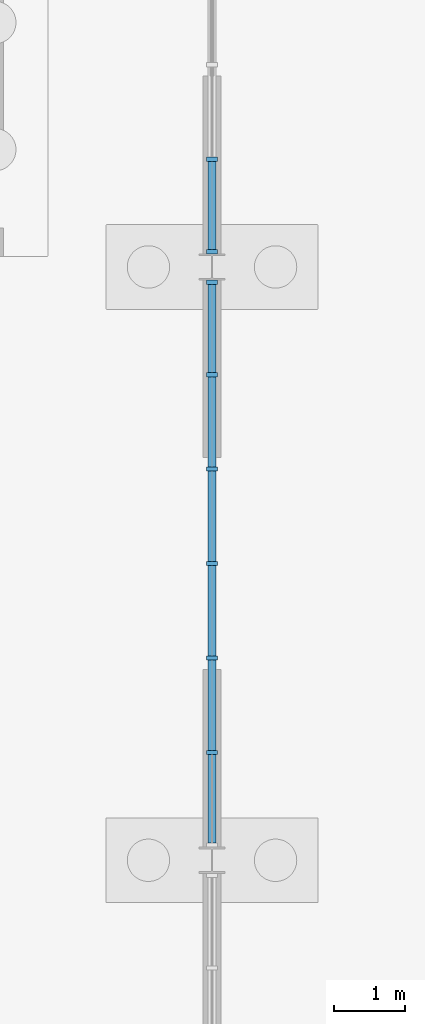
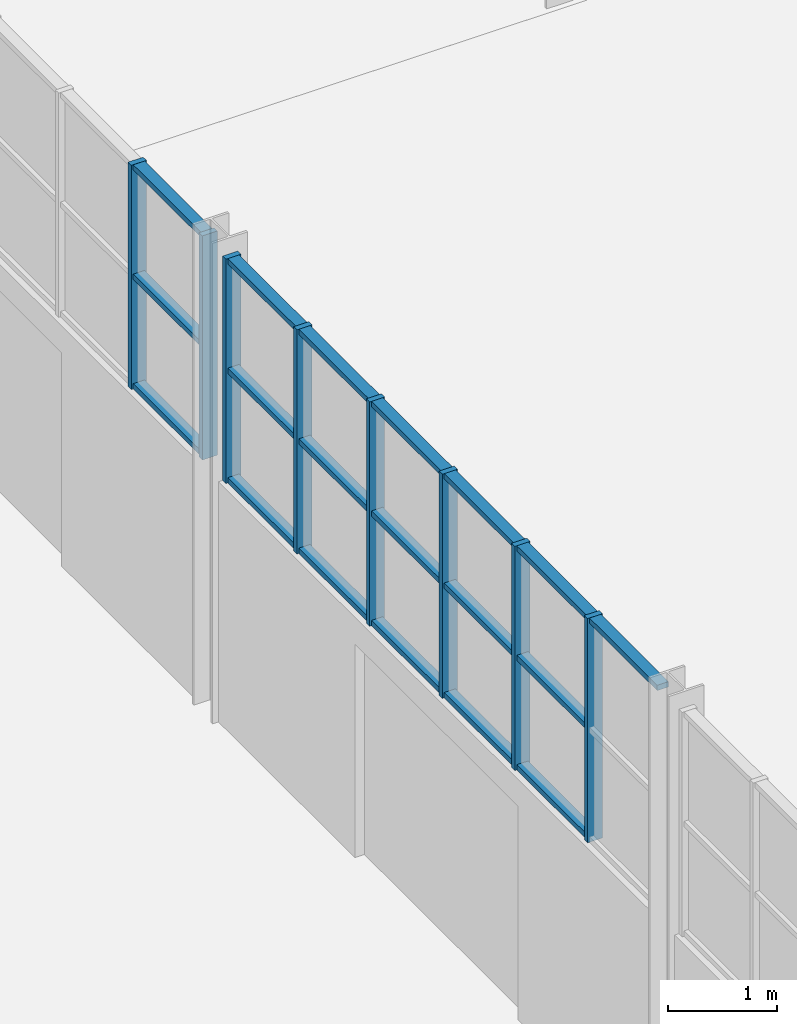
# One storey, part 36 of 127: 27 members, 2 elements without a shape of their own.
"""IFC4 building model written with IfcOpenShell, lengths in metres."""

import ifcopenshell
import ifcopenshell.guid

model = None  # the IFC model being written
_history = None  # IfcOwnerHistory: only IFC2X3 demands one
_inside = {}  # id of a spatial element -> (the spatial element, [elements in it])
_under = {}  # id of a project, library or spatial element -> (it, [spatial elements below it])
_declared = {}  # id of a project -> (the project, [libraries it declares])
_typed = {}  # id of a type object -> (the type object, [elements of that type])
_made_of = {}  # id of a material, layer set ... -> (it, [elements and type objects made of it])


def new_model(schema):
    """Start an empty IFC model of exactly this schema.

    Asked for "IFC4X3", IfcOpenShell would pick the latest addendum, in which some entities
    have other attributes; the version numbers below select the first issue.
    IFC2X3 requires an IfcOwnerHistory on every rooted entity: one is made here for all.
    """
    global model, _history
    if schema == "IFC4X3":
        model = ifcopenshell.file(schema_version=(4, 3, 0, 0))
    else:
        model = ifcopenshell.file(schema=schema)
    _inside.clear()
    _under.clear()
    _declared.clear()
    _typed.clear()
    _made_of.clear()
    _history = None
    if model.schema == "IFC2X3":
        org = make("IfcOrganization", Name="unknown")
        user = make(
            "IfcPersonAndOrganization",
            ThePerson=make("IfcPerson", FamilyName="unknown"),
            TheOrganization=org,
        )
        app = make(
            "IfcApplication",
            ApplicationDeveloper=org,
            Version="unknown",
            ApplicationFullName="unknown",
            ApplicationIdentifier="unknown",
        )
        _history = make(
            "IfcOwnerHistory",
            OwningUser=user,
            OwningApplication=app,
            ChangeAction="ADDED",
            CreationDate=0,
        )
    return model


def make(cls, **values):
    """One entity of the class cls with the attributes given. An attribute that is None is left unset."""
    return model.create_entity(
        cls, **{name: value for name, value in values.items() if value is not None}
    )


def rooted(cls, **values):
    """An entity with a GlobalId (a new one), such as an element, a storey or a relation."""
    return make(cls, GlobalId=ifcopenshell.guid.new(), OwnerHistory=_history, **values)


def si_unit(unit_type, name, prefix=None):
    """IfcSIUnit, for example si_unit("LENGTHUNIT", "METRE", prefix="MILLI")."""
    return make("IfcSIUnit", UnitType=unit_type, Prefix=prefix, Name=name)


def assignment(units):
    """IfcUnitAssignment: the units of a project."""
    return None if units is None else make("IfcUnitAssignment", Units=units)


def point(xyz):
    """IfcCartesianPoint."""
    return None if xyz is None else make("IfcCartesianPoint", Coordinates=xyz)


def direction(xyz):
    """IfcDirection."""
    return None if xyz is None else make("IfcDirection", DirectionRatios=xyz)


def frame(location, z_axis=None, x_axis=None):
    """IfcAxis2Placement3D, a coordinate frame: its origin and axes. An axis left out is left unset."""
    return make(
        "IfcAxis2Placement3D",
        Location=point(location),
        Axis=direction(z_axis),
        RefDirection=direction(x_axis),
    )


def frame_2d(location, x_axis=None):
    """IfcAxis2Placement2D, a coordinate frame in the plane: its origin and x axis."""
    return make(
        "IfcAxis2Placement2D", Location=point(location), RefDirection=direction(x_axis)
    )


def origin():
    """The frame at (0, 0, 0) with its axes left unset."""
    return frame((0.0, 0.0, 0.0))


def origin_2d():
    """The frame at (0, 0) in the plane with its x axis left unset."""
    return frame_2d((0.0, 0.0))


def place(relative_to, where):
    """IfcLocalPlacement: puts the frame where relative to a parent placement (None: the world)."""
    return make(
        "IfcLocalPlacement", PlacementRelTo=relative_to, RelativePlacement=where
    )


def context(
    kind, dimensions, precision=None, world=None, true_north=None, identifier=None
):
    """IfcGeometricRepresentationContext, for example the 3D "Model" context."""
    return make(
        "IfcGeometricRepresentationContext",
        ContextIdentifier=identifier,
        ContextType=kind,
        CoordinateSpaceDimension=dimensions,
        Precision=precision,
        WorldCoordinateSystem=world,
        TrueNorth=true_north,
    )


def subcontext(parent, identifier, kind, view, scale=None):
    """IfcGeometricRepresentationSubContext, for example "Body" below "Model"."""
    return make(
        "IfcGeometricRepresentationSubContext",
        ContextIdentifier=identifier,
        ContextType=kind,
        ParentContext=parent,
        TargetScale=scale,
        TargetView=view,
    )


def project(units=None, contexts=None):
    """IfcProject with its units and contexts."""
    return rooted(
        "IfcProject",
        Name="project",
        RepresentationContexts=contexts,
        UnitsInContext=assignment(units),
    )


def spatial(cls, under=None, at=None, **own):
    """A site, building, storey or space (cls), placed at a placement, below another one or the project."""
    s = rooted(cls, ObjectPlacement=at, **own)
    if under is not None:
        _under.setdefault(under.id(), (under, []))[1].append(s)
    return s


def profile(cls, at=None, kind="AREA", **sizes):
    """A parametric profile (cls). Its sizes go by their IFC names, for example OverallWidth=200.0."""
    return make(cls, ProfileType=kind, Position=at, **sizes)


def rectangle(**sizes):
    """IfcRectangleProfileDef."""
    return profile("IfcRectangleProfileDef", **sizes)


def extrude(swept, where, along, depth):
    """IfcExtrudedAreaSolid: the profile swept, set in the frame where, extruded along a direction by depth."""
    return make(
        "IfcExtrudedAreaSolid",
        SweptArea=swept,
        Position=where,
        ExtrudedDirection=direction(along),
        Depth=depth,
    )


def shape(context_of_items, identifier, shape_type, items):
    """IfcShapeRepresentation: the items that make up one representation, for example the "Body"."""
    return make(
        "IfcShapeRepresentation",
        ContextOfItems=context_of_items,
        RepresentationIdentifier=identifier,
        RepresentationType=shape_type,
        Items=items,
    )


def material(Name=None, Category=None):
    """IfcMaterial."""
    return make("IfcMaterial", Name=Name, Category=Category)


def material_profile(
    of_material, cross_section, Name=None, Category=None, Priority=None
):
    """IfcMaterialProfile: a cross section and its material."""
    return make(
        "IfcMaterialProfile",
        Name=Name,
        Material=of_material,
        Profile=cross_section,
        Priority=Priority,
        Category=Category,
    )


def profile_set(profiles, Name=None, composite=None):
    """IfcMaterialProfileSet."""
    return make(
        "IfcMaterialProfileSet",
        Name=Name,
        MaterialProfiles=profiles,
        CompositeProfile=composite,
    )


def made_of(thing, what):
    """Note that an element or type object is made of a material, layer set ...; save() writes the relation."""
    if what is not None:
        _made_of.setdefault(what.id(), (what, []))[1].append(thing)
    return thing


def type_object(cls, material=None, **own):
    """A type object (cls), such as IfcWallType, which elements share."""
    return made_of(rooted(cls, **own), material)


def element(
    cls,
    number,
    at=None,
    inside=None,
    cuts=None,
    type_object=None,
    material=None,
    context=None,
    identifier="Body",
    shape_type=None,
    held_by="IfcProductDefinitionShape",
    body=None,
    shapes=None,
    **own,
):
    """One element of the class cls, such as IfcWall. Its Tag is "e" and its number.

    at: its placement. inside: the storey or other place that contains it. cuts: it is an
    opening in that element (IfcRelVoidsElement). A single representation is given by context,
    identifier, shape_type and body (its items); several are given by shapes. held_by: the class
    of the entity that holds the representations. save() writes the other relations.
    """
    e = rooted(cls, Tag="e%d" % number, ObjectPlacement=at, **own)
    if body is not None:
        shapes = [shape(context, identifier, shape_type, body)]
    if shapes is not None:
        e.Representation = make(held_by, Representations=shapes)
    if inside is not None:
        _inside.setdefault(inside.id(), (inside, []))[1].append(e)
    if cuts is not None:
        rooted(
            "IfcRelVoidsElement", RelatingBuildingElement=cuts, RelatedOpeningElement=e
        )
    if type_object is not None:
        _typed.setdefault(type_object.id(), (type_object, []))[1].append(e)
    return made_of(e, material)


def aggregate(whole, parts):
    """IfcRelAggregates: a whole, such as a stair, and the parts it consists of."""
    return rooted("IfcRelAggregates", RelatingObject=whole, RelatedObjects=parts)


def save(model, path):
    """Write the relations noted so far, then the file.

    IfcRelAggregates (storeys below a building ...), IfcRelContainedInSpatialStructure (elements
    in a storey), IfcRelDefinesByType, IfcRelAssociatesMaterial and IfcRelDeclares: one each for
    every whole, place, type object, material and project.
    """
    for whole, parts in _under.values():
        aggregate(whole, parts)
    for where, things in _inside.values():
        rooted(
            "IfcRelContainedInSpatialStructure",
            RelatedElements=things,
            RelatingStructure=where,
        )
    for kind, things in _typed.values():
        rooted("IfcRelDefinesByType", RelatedObjects=things, RelatingType=kind)
    for what, things in _made_of.values():
        rooted("IfcRelAssociatesMaterial", RelatedObjects=things, RelatingMaterial=what)
    for by, libraries in _declared.values():
        rooted("IfcRelDeclares", RelatingContext=by, RelatedDefinitions=libraries)
    model.write(path)


model = new_model("IFC4")

# Units and contexts
model_context = context("Model", 3, precision=1e-05, world=origin(), true_north=direction((0.0, 1.0)))
body_context = subcontext(model_context, "Body", "Model", "MODEL_VIEW")
ifc_project = project(units=[si_unit("LENGTHUNIT", "METRE"), si_unit("AREAUNIT", "SQUARE_METRE"), si_unit("VOLUMEUNIT", "CUBIC_METRE"), si_unit("PLANEANGLEUNIT", "RADIAN"), si_unit("MASSUNIT", "GRAM", prefix="KILO")], contexts=[model_context])

# Site, building, storey
site_placement = place(None, origin())
site = spatial("IfcSite", under=ifc_project, at=site_placement, CompositionType="ELEMENT")
building_placement = place(site_placement, origin())
building = spatial("IfcBuilding", under=site, at=building_placement, Name="Ljudholm Concert House", CompositionType="ELEMENT")
storey_placement = place(building_placement, origin())
storey = spatial("IfcBuildingStorey", under=building, at=storey_placement, Name="L00", CompositionType="ELEMENT", Elevation=0.0)

# Curtain wall, members
ifc_material_1 = material(Name="Aluminium curtain wall with impact-rated laminated glass", Category="aluminium")
curtain_wall_type = type_object("IfcCurtainWallType", Name="CURTAIN WALL 1400", PredefinedType="NOTDEFINED", material=ifc_material_1)
curtain_wall_1_placement = place(storey_placement, origin())
curtain_wall_1 = element("IfcCurtainWall", 1, at=curtain_wall_1_placement, inside=storey, type_object=curtain_wall_type, Name="Foyer curtain wall", PredefinedType="NOTDEFINED")
ifc_material_2 = material(Name="Aluminium extrusion", Category="aluminium")
ifc_material_profile_1 = material_profile(ifc_material_2, rectangle(XDim=0.159912109375, YDim=0.06005859375, at=origin_2d()), Name="MULLION 60x160")
ifc_profile_set_1 = profile_set([ifc_material_profile_1], Name="Aluminium extrusion")
member_type_1 = type_object("IfcMemberType", Name="MULLION 60x160", PredefinedType="MULLION", material=ifc_profile_set_1)
member_1_placement = place(storey_placement, frame((12.39990234375, 89.5244140625, 2.699951171875), z_axis=(0.0, 0.0, 1.0), x_axis=(-1.0, 0.0, 0.0)))
member_1 = element("IfcMember", 2, at=member_1_placement, type_object=member_type_1, Name="Mullion", PredefinedType="MULLION", context=body_context, shape_type="SweptSolid", body=[
    extrude(rectangle(XDim=0.159912109375, YDim=0.06005859375, at=origin_2d()), origin(), (0.0, 0.0, 1.0), 2.52001953125),
])
member_2_placement = place(storey_placement, frame((12.39990234375, 90.8623046875, 2.699951171875), z_axis=(0.0, 0.0, 1.0), x_axis=(-1.0, 0.0, 0.0)))
member_2 = element("IfcMember", 3, at=member_2_placement, type_object=member_type_1, Name="Mullion", PredefinedType="MULLION", context=body_context, shape_type="SweptSolid", body=[
    extrude(rectangle(XDim=0.159912109375, YDim=0.06005859375, at=origin_2d()), origin(), (0.0, 0.0, 1.0), 2.52001953125),
])
member_3_placement = place(storey_placement, frame((12.39990234375, 92.199951171875, 2.699951171875), z_axis=(0.0, 0.0, 1.0), x_axis=(-1.0, 0.0, 0.0)))
member_3 = element("IfcMember", 4, at=member_3_placement, type_object=member_type_1, Name="Mullion", PredefinedType="MULLION", context=body_context, shape_type="SweptSolid", body=[
    extrude(rectangle(XDim=0.159912109375, YDim=0.06005859375, at=origin_2d()), origin(), (0.0, 0.0, 1.0), 2.52001953125),
])
member_4_placement = place(storey_placement, frame((12.39990234375, 93.537841796875, 2.699951171875), z_axis=(0.0, 0.0, 1.0), x_axis=(-1.0, 0.0, 0.0)))
member_4 = element("IfcMember", 5, at=member_4_placement, type_object=member_type_1, Name="Mullion", PredefinedType="MULLION", context=body_context, shape_type="SweptSolid", body=[
    extrude(rectangle(XDim=0.159912109375, YDim=0.06005859375, at=origin_2d()), origin(), (0.0, 0.0, 1.0), 2.52001953125),
])
member_5_placement = place(storey_placement, frame((12.39990234375, 94.87548828125, 2.699951171875), z_axis=(0.0, 0.0, 1.0), x_axis=(-1.0, 0.0, 0.0)))
member_5 = element("IfcMember", 6, at=member_5_placement, type_object=member_type_1, Name="Mullion", PredefinedType="MULLION", context=body_context, shape_type="SweptSolid", body=[
    extrude(rectangle(XDim=0.159912109375, YDim=0.06005859375, at=origin_2d()), origin(), (0.0, 0.0, 1.0), 2.52001953125),
])
member_6_placement = place(storey_placement, frame((12.39990234375, 96.183349609375, 2.699951171875), z_axis=(0.0, 0.0, 1.0), x_axis=(-1.0, 0.0, 0.0)))
member_6 = element("IfcMember", 7, at=member_6_placement, type_object=member_type_1, Name="Mullion", PredefinedType="MULLION", context=body_context, shape_type="SweptSolid", body=[
    extrude(rectangle(XDim=0.159912109375, YDim=0.06005859375, at=origin_2d()), origin(), (0.0, 0.0, 1.0), 2.52001953125),
])

curtain_wall_2_placement = place(storey_placement, origin())
curtain_wall_2 = element("IfcCurtainWall", 8, at=curtain_wall_2_placement, inside=storey, type_object=curtain_wall_type, Name="Foyer curtain wall", PredefinedType="NOTDEFINED")
member_7_placement = place(storey_placement, frame((12.39990234375, 96.61669921875, 2.699951171875), z_axis=(0.0, 0.0, 1.0), x_axis=(-1.0, 0.0, 0.0)))
member_7 = element("IfcMember", 9, at=member_7_placement, type_object=member_type_1, Name="Mullion", PredefinedType="MULLION", context=body_context, shape_type="SweptSolid", body=[
    extrude(rectangle(XDim=0.159912109375, YDim=0.06005859375, at=origin_2d()), origin(), (0.0, 0.0, 1.0), 2.52001953125),
])
member_8_placement = place(storey_placement, frame((12.39990234375, 97.924560546875, 2.699951171875), z_axis=(0.0, 0.0, 1.0), x_axis=(-1.0, 0.0, 0.0)))
member_8 = element("IfcMember", 10, at=member_8_placement, type_object=member_type_1, Name="Mullion", PredefinedType="MULLION", context=body_context, shape_type="SweptSolid", body=[
    extrude(rectangle(XDim=0.159912109375, YDim=0.06005859375, at=origin_2d()), origin(), (0.0, 0.0, 1.0), 2.52001953125),
])

# Member
ifc_material_3 = material(Name="Aluminium extrusion", Category="aluminium")
ifc_material_profile_2 = material_profile(ifc_material_3, rectangle(XDim=0.1201171875, YDim=0.06005859375, at=origin_2d()), Name="TRANSOM 60x120")
ifc_profile_set_2 = profile_set([ifc_material_profile_2], Name="Aluminium extrusion")
member_type_2 = type_object("IfcMemberType", Name="TRANSOM 60x120", PredefinedType="USERDEFINED", material=ifc_profile_set_2)
member_9_placement = place(storey_placement, frame((12.39990234375, 88.24658203125, 5.18994140625), z_axis=(0.0, 1.0, 0.0), x_axis=(-1.0, 0.0, 0.0)))
member_9 = element("IfcMember", 11, at=member_9_placement, type_object=member_type_2, Name="Transom", ObjectType="TRANSOM", PredefinedType="USERDEFINED", context=body_context, shape_type="SweptSolid", body=[
    extrude(rectangle(XDim=0.1201171875, YDim=0.06005859375, at=origin_2d()), origin(), (0.0, 0.0, 1.0), 1.247802734375),
])

member_10_placement = place(storey_placement, frame((12.39990234375, 89.554443359375, 2.72998046875), z_axis=(0.0, 1.0, 0.0), x_axis=(-1.0, 0.0, 0.0)))
member_10 = element("IfcMember", 12, at=member_10_placement, type_object=member_type_2, Name="Transom", ObjectType="TRANSOM", PredefinedType="USERDEFINED", context=body_context, shape_type="SweptSolid", body=[
    extrude(rectangle(XDim=0.1201171875, YDim=0.06005859375, at=origin_2d()), origin(), (0.0, 0.0, 1.0), 1.27783203125),
])

member_11_placement = place(storey_placement, frame((12.39990234375, 89.554443359375, 3.9599609375), z_axis=(0.0, 1.0, 0.0), x_axis=(-1.0, 0.0, 0.0)))
member_11 = element("IfcMember", 13, at=member_11_placement, type_object=member_type_2, Name="Transom", ObjectType="TRANSOM", PredefinedType="USERDEFINED", context=body_context, shape_type="SweptSolid", body=[
    extrude(rectangle(XDim=0.1201171875, YDim=0.06005859375, at=origin_2d()), origin(), (0.0, 0.0, 1.0), 1.27783203125),
])

member_12_placement = place(storey_placement, frame((12.39990234375, 89.554443359375, 5.18994140625), z_axis=(0.0, 1.0, 0.0), x_axis=(-1.0, 0.0, 0.0)))
member_12 = element("IfcMember", 14, at=member_12_placement, type_object=member_type_2, Name="Transom", ObjectType="TRANSOM", PredefinedType="USERDEFINED", context=body_context, shape_type="SweptSolid", body=[
    extrude(rectangle(XDim=0.1201171875, YDim=0.06005859375, at=origin_2d()), origin(), (0.0, 0.0, 1.0), 1.27783203125),
])

member_13_placement = place(storey_placement, frame((12.39990234375, 90.892333984375, 2.72998046875), z_axis=(0.0, 1.0, 0.0), x_axis=(-1.0, 0.0, 0.0)))
member_13 = element("IfcMember", 15, at=member_13_placement, type_object=member_type_2, Name="Transom", ObjectType="TRANSOM", PredefinedType="USERDEFINED", context=body_context, shape_type="SweptSolid", body=[
    extrude(rectangle(XDim=0.1201171875, YDim=0.06005859375, at=origin_2d()), origin(), (0.0, 0.0, 1.0), 1.277587890625),
])

member_14_placement = place(storey_placement, frame((12.39990234375, 90.892333984375, 3.9599609375), z_axis=(0.0, 1.0, 0.0), x_axis=(-1.0, 0.0, 0.0)))
member_14 = element("IfcMember", 16, at=member_14_placement, type_object=member_type_2, Name="Transom", ObjectType="TRANSOM", PredefinedType="USERDEFINED", context=body_context, shape_type="SweptSolid", body=[
    extrude(rectangle(XDim=0.1201171875, YDim=0.06005859375, at=origin_2d()), origin(), (0.0, 0.0, 1.0), 1.277587890625),
])

member_15_placement = place(storey_placement, frame((12.39990234375, 90.892333984375, 5.18994140625), z_axis=(0.0, 1.0, 0.0), x_axis=(-1.0, 0.0, 0.0)))
member_15 = element("IfcMember", 17, at=member_15_placement, type_object=member_type_2, Name="Transom", ObjectType="TRANSOM", PredefinedType="USERDEFINED", context=body_context, shape_type="SweptSolid", body=[
    extrude(rectangle(XDim=0.1201171875, YDim=0.06005859375, at=origin_2d()), origin(), (0.0, 0.0, 1.0), 1.277587890625),
])

member_16_placement = place(storey_placement, frame((12.39990234375, 92.22998046875, 2.72998046875), z_axis=(0.0, 1.0, 0.0), x_axis=(-1.0, 0.0, 0.0)))
member_16 = element("IfcMember", 18, at=member_16_placement, type_object=member_type_2, Name="Transom", ObjectType="TRANSOM", PredefinedType="USERDEFINED", context=body_context, shape_type="SweptSolid", body=[
    extrude(rectangle(XDim=0.1201171875, YDim=0.06005859375, at=origin_2d()), origin(), (0.0, 0.0, 1.0), 1.27783203125),
])

member_17_placement = place(storey_placement, frame((12.39990234375, 92.22998046875, 3.9599609375), z_axis=(0.0, 1.0, 0.0), x_axis=(-1.0, 0.0, 0.0)))
member_17 = element("IfcMember", 19, at=member_17_placement, type_object=member_type_2, Name="Transom", ObjectType="TRANSOM", PredefinedType="USERDEFINED", context=body_context, shape_type="SweptSolid", body=[
    extrude(rectangle(XDim=0.1201171875, YDim=0.06005859375, at=origin_2d()), origin(), (0.0, 0.0, 1.0), 1.27783203125),
])

member_18_placement = place(storey_placement, frame((12.39990234375, 92.22998046875, 5.18994140625), z_axis=(0.0, 1.0, 0.0), x_axis=(-1.0, 0.0, 0.0)))
member_18 = element("IfcMember", 20, at=member_18_placement, type_object=member_type_2, Name="Transom", ObjectType="TRANSOM", PredefinedType="USERDEFINED", context=body_context, shape_type="SweptSolid", body=[
    extrude(rectangle(XDim=0.1201171875, YDim=0.06005859375, at=origin_2d()), origin(), (0.0, 0.0, 1.0), 1.27783203125),
])

member_19_placement = place(storey_placement, frame((12.39990234375, 93.56787109375, 2.72998046875), z_axis=(0.0, 1.0, 0.0), x_axis=(-1.0, 0.0, 0.0)))
member_19 = element("IfcMember", 21, at=member_19_placement, type_object=member_type_2, Name="Transom", ObjectType="TRANSOM", PredefinedType="USERDEFINED", context=body_context, shape_type="SweptSolid", body=[
    extrude(rectangle(XDim=0.1201171875, YDim=0.06005859375, at=origin_2d()), origin(), (0.0, 0.0, 1.0), 1.277587890625),
])

member_20_placement = place(storey_placement, frame((12.39990234375, 93.56787109375, 3.9599609375), z_axis=(0.0, 1.0, 0.0), x_axis=(-1.0, 0.0, 0.0)))
member_20 = element("IfcMember", 22, at=member_20_placement, type_object=member_type_2, Name="Transom", ObjectType="TRANSOM", PredefinedType="USERDEFINED", context=body_context, shape_type="SweptSolid", body=[
    extrude(rectangle(XDim=0.1201171875, YDim=0.06005859375, at=origin_2d()), origin(), (0.0, 0.0, 1.0), 1.277587890625),
])

member_21_placement = place(storey_placement, frame((12.39990234375, 93.56787109375, 5.18994140625), z_axis=(0.0, 1.0, 0.0), x_axis=(-1.0, 0.0, 0.0)))
member_21 = element("IfcMember", 23, at=member_21_placement, type_object=member_type_2, Name="Transom", ObjectType="TRANSOM", PredefinedType="USERDEFINED", context=body_context, shape_type="SweptSolid", body=[
    extrude(rectangle(XDim=0.1201171875, YDim=0.06005859375, at=origin_2d()), origin(), (0.0, 0.0, 1.0), 1.277587890625),
])

member_22_placement = place(storey_placement, frame((12.39990234375, 94.905517578125, 2.72998046875), z_axis=(0.0, 1.0, 0.0), x_axis=(-1.0, 0.0, 0.0)))
member_22 = element("IfcMember", 24, at=member_22_placement, type_object=member_type_2, Name="Transom", ObjectType="TRANSOM", PredefinedType="USERDEFINED", context=body_context, shape_type="SweptSolid", body=[
    extrude(rectangle(XDim=0.1201171875, YDim=0.06005859375, at=origin_2d()), origin(), (0.0, 0.0, 1.0), 1.247802734375),
])

member_23_placement = place(storey_placement, frame((12.39990234375, 94.905517578125, 3.9599609375), z_axis=(0.0, 1.0, 0.0), x_axis=(-1.0, 0.0, 0.0)))
member_23 = element("IfcMember", 25, at=member_23_placement, type_object=member_type_2, Name="Transom", ObjectType="TRANSOM", PredefinedType="USERDEFINED", context=body_context, shape_type="SweptSolid", body=[
    extrude(rectangle(XDim=0.1201171875, YDim=0.06005859375, at=origin_2d()), origin(), (0.0, 0.0, 1.0), 1.247802734375),
])

member_24_placement = place(storey_placement, frame((12.39990234375, 94.905517578125, 5.18994140625), z_axis=(0.0, 1.0, 0.0), x_axis=(-1.0, 0.0, 0.0)))
member_24 = element("IfcMember", 26, at=member_24_placement, type_object=member_type_2, Name="Transom", ObjectType="TRANSOM", PredefinedType="USERDEFINED", context=body_context, shape_type="SweptSolid", body=[
    extrude(rectangle(XDim=0.1201171875, YDim=0.06005859375, at=origin_2d()), origin(), (0.0, 0.0, 1.0), 1.247802734375),
])

aggregate(curtain_wall_1, [member_1, member_2, member_3, member_4, member_5, member_6, member_9, member_10, member_11, member_12, member_13, member_14, member_15, member_16, member_17, member_18, member_19, member_20, member_21, member_22, member_23, member_24])

member_25_placement = place(storey_placement, frame((12.39990234375, 96.646728515625, 2.72998046875), z_axis=(0.0, 1.0, 0.0), x_axis=(-1.0, 0.0, 0.0)))
member_25 = element("IfcMember", 27, at=member_25_placement, type_object=member_type_2, Name="Transom", ObjectType="TRANSOM", PredefinedType="USERDEFINED", context=body_context, shape_type="SweptSolid", body=[
    extrude(rectangle(XDim=0.1201171875, YDim=0.06005859375, at=origin_2d()), origin(), (0.0, 0.0, 1.0), 1.247802734375),
])

member_26_placement = place(storey_placement, frame((12.39990234375, 96.646728515625, 3.9599609375), z_axis=(0.0, 1.0, 0.0), x_axis=(-1.0, 0.0, 0.0)))
member_26 = element("IfcMember", 28, at=member_26_placement, type_object=member_type_2, Name="Transom", ObjectType="TRANSOM", PredefinedType="USERDEFINED", context=body_context, shape_type="SweptSolid", body=[
    extrude(rectangle(XDim=0.1201171875, YDim=0.06005859375, at=origin_2d()), origin(), (0.0, 0.0, 1.0), 1.247802734375),
])

member_27_placement = place(storey_placement, frame((12.39990234375, 96.646728515625, 5.18994140625), z_axis=(0.0, 1.0, 0.0), x_axis=(-1.0, 0.0, 0.0)))
member_27 = element("IfcMember", 29, at=member_27_placement, type_object=member_type_2, Name="Transom", ObjectType="TRANSOM", PredefinedType="USERDEFINED", context=body_context, shape_type="SweptSolid", body=[
    extrude(rectangle(XDim=0.1201171875, YDim=0.06005859375, at=origin_2d()), origin(), (0.0, 0.0, 1.0), 1.247802734375),
])

aggregate(curtain_wall_2, [member_7, member_8, member_25, member_26, member_27])

save(model, "model.ifc")
